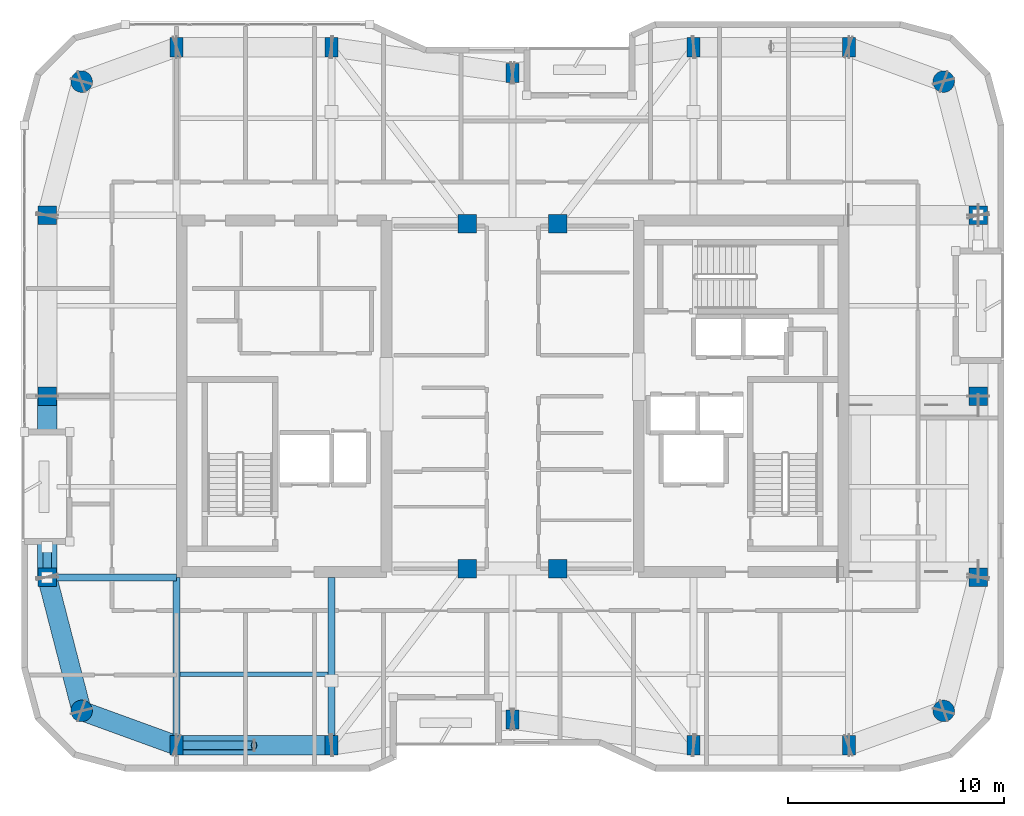
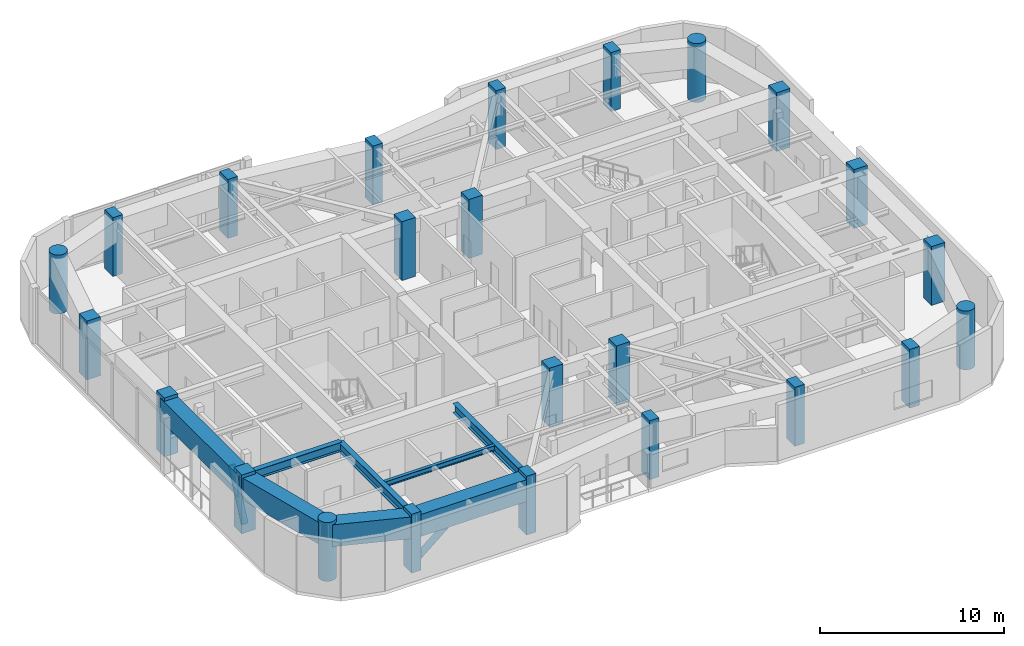
# One storey, part 1 of 16: 24 columns, 8 beams, 2 members.
"""IFC4 building model written with IfcOpenShell, lengths in metres."""

from ifc_helpers import new_model, si_unit, direction, frame, origin, origin_2d, place, context, subcontext, project, spatial, rectangle, hollow_rectangle, circle, hollow_circle, i_section, extrude, material, material_profile, profile_set, type_object, element, save


model = new_model("IFC4")

# Units and contexts
model_context = context("Model", 3, precision=1e-05, world=origin(), true_north=direction((0.0, 1.0)))
body_context = subcontext(model_context, "Body", "Model", "MODEL_VIEW")
ifc_project = project(units=[si_unit("LENGTHUNIT", "METRE"), si_unit("AREAUNIT", "SQUARE_METRE"), si_unit("VOLUMEUNIT", "CUBIC_METRE"), si_unit("PLANEANGLEUNIT", "RADIAN"), si_unit("MASSUNIT", "GRAM", prefix="KILO")], contexts=[model_context])

# Site, building, storey
site_placement = place(None, origin())
site = spatial("IfcSite", under=ifc_project, at=site_placement, CompositionType="ELEMENT")
building_placement = place(site_placement, origin())
building = spatial("IfcBuilding", under=site, at=building_placement, Name="Kiyonajd Concourse Tower", CompositionType="ELEMENT")
storey_placement = place(building_placement, frame((0.0, 0.0, 346.5)))
storey = spatial("IfcBuildingStorey", under=building, at=storey_placement, Name="L87", CompositionType="ELEMENT", Elevation=346.5)

# Columns
ifc_material_1 = material(Name="Concrete C60/75", Category="concrete")
ifc_material_profile_1 = material_profile(ifc_material_1, rectangle(XDim=0.60009765625, YDim=0.89990234375, at=origin_2d()), Name="RC-900x600")
ifc_profile_set_1 = profile_set([ifc_material_profile_1], Name="Concrete C60/75")
column_type_1 = type_object("IfcColumnType", Name="CL-BLADE-900", PredefinedType="COLUMN", material=ifc_profile_set_1)
for number, where, z_axis, x_axis, name in (
    (1, (32.39990234375, 19.800048828125, 0.0), (0.0, 0.0, 1.0), (1.0, 0.0, 0.0), "L87 Perimeter Bundled Tube Column"),
    (2, (32.39990234375, 52.199951171875, 0.0), (0.0, 0.0, 1.0), (1.0, 0.0, 0.0), "L87 Perimeter Bundled Tube Column"),
    (3, (39.60009765625, 19.800048828125, 0.0), (0.0, 0.0, 1.0), (1.0, 0.0, 0.0), "L87 Perimeter Bundled Tube Column"),
    (4, (39.60009765625, 52.199951171875, 0.0), (0.0, 0.0, 1.0), (1.0, 0.0, 0.0), "L87 Perimeter Bundled Tube Column"),
    (5, (48.0, 21.0, 0.0), (0.0, 0.0, 1.0), (1.0, 0.0, 0.0), "L87 Perimeter Bundled Tube Column"),
    (6, (48.0, 51.0, 0.0), (0.0, 0.0, 1.0), (1.0, 0.0, 0.0), "L87 Perimeter Bundled Tube Column"),
    (7, (56.39990234375, 19.800048828125, 0.0), (0.0, 0.0, 1.0), (1.0, 0.0, 0.0), "L87 Perimeter Bundled Tube Column"),
    (8, (56.39990234375, 52.199951171875, 0.0), (0.0, 0.0, 1.0), (1.0, 0.0, 0.0), "L87 Perimeter Bundled Tube Column"),
    (9, (63.60009765625, 19.800048828125, 0.0), (0.0, 0.0, 1.0), (1.0, 0.0, 0.0), "L87 Perimeter Bundled Tube Column"),
    (10, (63.60009765625, 52.199951171875, 0.0), (0.0, 0.0, 1.0), (1.0, 0.0, 0.0), "L87 Perimeter Bundled Tube Column"),
):
    element("IfcColumn", number, at=place(storey_placement, frame(where, z_axis=z_axis, x_axis=x_axis)), inside=storey, type_object=column_type_1, Name=name, PredefinedType="COLUMN", context=body_context, shape_type="SweptSolid", body=[
        extrude(rectangle(XDim=0.60009765625, YDim=0.89990234375, at=origin_2d()), origin(), (0.0, 0.0, 1.0), 3.89990234375),
    ])
ifc_material_profile_2 = material_profile(ifc_material_1, circle(Radius=0.5, at=origin_2d()), Name="RCC-D1000")
ifc_profile_set_2 = profile_set([ifc_material_profile_2], Name="Concrete C60/75")
column_type_2 = type_object("IfcColumnType", Name="CL-RND-1000", PredefinedType="COLUMN", material=ifc_profile_set_2)
for number, where, z_axis, x_axis, name in (
    (11, (28.0, 21.39990234375, 0.0), (0.0, 0.0, 1.0), (1.0, 0.0, 0.0), "L87 Bundled Tube Corner Column South West"),
    (12, (68.0, 21.39990234375, 0.0), (0.0, 0.0, 1.0), (1.0, 0.0, 0.0), "L87 Bundled Tube Corner Column South East"),
    (13, (68.0, 50.60009765625, 0.0), (0.0, 0.0, 1.0), (1.0, 0.0, 0.0), "L87 Bundled Tube Corner Column North East"),
    (14, (28.0, 50.60009765625, 0.0), (0.0, 0.0, 1.0), (1.0, 0.0, 0.0), "L87 Bundled Tube Corner Column North West"),
):
    element("IfcColumn", number, at=place(storey_placement, frame(where, z_axis=z_axis, x_axis=x_axis)), inside=storey, type_object=column_type_2, Name=name, PredefinedType="COLUMN", context=body_context, shape_type="SweptSolid", body=[
        extrude(circle(Radius=0.5, at=origin_2d()), origin(), (0.0, 0.0, 1.0), 3.89990234375),
    ])
ifc_material_profile_3 = material_profile(ifc_material_1, rectangle(XDim=0.85009765625, YDim=0.85009765625, at=origin_2d()), Name="RC-850x850")
ifc_profile_set_3 = profile_set([ifc_material_profile_3], Name="Concrete C60/75")
column_type_3 = type_object("IfcColumnType", Name="CL-TUBE-850", PredefinedType="COLUMN", material=ifc_profile_set_3)
for number, where, z_axis, x_axis, name in (
    (15, (26.39990234375, 27.60009765625, 0.0), (0.0, 0.0, 1.0), (1.0, 0.0, 0.0), "L87 Perimeter Bundled Tube Column"),
    (16, (69.60009765625, 27.60009765625, 0.0), (0.0, 0.0, 1.0), (1.0, 0.0, 0.0), "L87 Perimeter Bundled Tube Column"),
    (17, (26.39990234375, 36.0, 0.0), (0.0, 0.0, 1.0), (1.0, 0.0, 0.0), "L87 Perimeter Bundled Tube Column"),
    (18, (69.60009765625, 36.0, 0.0), (0.0, 0.0, 1.0), (1.0, 0.0, 0.0), "L87 Perimeter Bundled Tube Column"),
    (19, (26.39990234375, 44.39990234375, 0.0), (0.0, 0.0, 1.0), (1.0, 0.0, 0.0), "L87 Perimeter Bundled Tube Column"),
    (20, (69.60009765625, 44.39990234375, 0.0), (0.0, 0.0, 1.0), (1.0, 0.0, 0.0), "L87 Perimeter Bundled Tube Column"),
    (21, (45.89990234375, 28.0, 0.0), (0.0, 0.0, 1.0), (1.0, 0.0, 0.0), "L87 Core Tie Column South West"),
    (22, (50.10009765625, 28.0, 0.0), (0.0, 0.0, 1.0), (1.0, 0.0, 0.0), "L87 Core Tie Column South East"),
    (23, (45.89990234375, 44.0, 0.0), (0.0, 0.0, 1.0), (1.0, 0.0, 0.0), "L87 Core Tie Column North West"),
    (24, (50.10009765625, 44.0, 0.0), (0.0, 0.0, 1.0), (1.0, 0.0, 0.0), "L87 Core Tie Column North East"),
):
    element("IfcColumn", number, at=place(storey_placement, frame(where, z_axis=z_axis, x_axis=x_axis)), inside=storey, type_object=column_type_3, Name=name, PredefinedType="COLUMN", context=body_context, shape_type="SweptSolid", body=[
        extrude(rectangle(XDim=0.85009765625, YDim=0.85009765625, at=origin_2d()), origin(), (0.0, 0.0, 1.0), 3.89990234375),
    ])

# Beams
ifc_material_2 = material(Name="Steel ASTM A992 Grade 50", Category="steel")
ifc_material_profile_4 = material_profile(ifc_material_2, i_section(OverallWidth=0.205078125, OverallDepth=0.35400390625, WebThickness=0.009521484375, FlangeThickness=0.016845703125, at=origin_2d()), Name="W360X79")
ifc_profile_set_4 = profile_set([ifc_material_profile_4], Name="Steel ASTM A992 Grade 50")
beam_type_1 = type_object("IfcBeamType", Name="BM-JST-360", PredefinedType="JOIST", material=ifc_profile_set_4)
beam_1_placement = place(storey_placement, frame((32.56201171875, 23.10009765625, 3.5029296875), z_axis=(1.0, 0.0, 0.0), x_axis=(0.0, 1.0, 0.0)))
element("IfcBeam", 25, at=beam_1_placement, inside=storey, type_object=beam_type_1, Name="L87 Secondary Floor Joist", PredefinedType="JOIST", context=body_context, shape_type="SweptSolid", body=[
    extrude(i_section(OverallWidth=0.205078125, OverallDepth=0.35400390625, WebThickness=0.009521484375, FlangeThickness=0.016845703125, at=origin_2d()), origin(), (0.0, 0.0, 1.0), 6.8759765625),
])
ifc_material_profile_5 = material_profile(ifc_material_2, i_section(OverallWidth=0.323974609375, OverallDepth=0.611083984375, WebThickness=0.0126953125, FlangeThickness=0.01904296875, at=origin_2d()), Name="W610X155")
ifc_profile_set_5 = profile_set([ifc_material_profile_5], Name="Steel ASTM A992 Grade 50")
beam_type_2 = type_object("IfcBeamType", Name="BM-TWR-610B", PredefinedType="BEAM", material=ifc_profile_set_5)
for number, where, z_axis, x_axis, name in (
    (26, (32.39990234375, 19.800048828125, 3.37451171875), (0.0, 1.0, 0.0), (-1.0, 0.0, 0.0), "L87 South Lease Girder"),
    (27, (39.60009765625, 19.800048828125, 3.37451171875), (0.0, 1.0, 0.0), (-1.0, 0.0, 0.0), "L87 South Lease Girder"),
):
    element("IfcBeam", number, at=place(storey_placement, frame(where, z_axis=z_axis, x_axis=x_axis)), inside=storey, type_object=beam_type_2, Name=name, PredefinedType="BEAM", context=body_context, shape_type="SweptSolid", body=[
        extrude(i_section(OverallWidth=0.323974609375, OverallDepth=0.611083984375, WebThickness=0.0126953125, FlangeThickness=0.01904296875, at=origin_2d()), origin(), (0.0, 0.0, 1.0), 7.800048828125),
    ])
beam_2_placement = place(storey_placement, frame((26.39990234375, 27.60009765625, 3.37451171875), z_axis=(1.0, 0.0, 0.0), x_axis=(0.0, 1.0, 0.0)))
element("IfcBeam", 28, at=beam_2_placement, inside=storey, type_object=beam_type_2, Name="L87 West Lease Girder", PredefinedType="BEAM", context=body_context, shape_type="SweptSolid", body=[
    extrude(i_section(OverallWidth=0.323974609375, OverallDepth=0.611083984375, WebThickness=0.0126953125, FlangeThickness=0.01904296875, at=origin_2d()), origin(), (0.0, 0.0, 1.0), 6.0),
])
ifc_material_3 = material(Name="Steel ASTM A572 Grade 50", Category="steel")
ifc_material_profile_6 = material_profile(ifc_material_3, hollow_rectangle(XDim=0.89990234375, YDim=1.449951171875, WallThickness=0.074951171875, at=origin_2d()), Name="BOX-1450x900x75")
ifc_profile_set_6 = profile_set([ifc_material_profile_6], Name="Steel ASTM A572 Grade 50")
beam_type_3 = type_object("IfcBeamType", Name="BM-XFER-1800", PredefinedType="BEAM", material=ifc_profile_set_6)
beam_3_placement = place(storey_placement, frame((26.39990234375, 27.60009765625, 2.955078125), z_axis=(0.249884937687, -0.968275538221, 0.0), x_axis=(0.968275538221, 0.249884937687, 0.0)))
element("IfcBeam", 29, at=beam_3_placement, inside=storey, type_object=beam_type_3, Name="L87 Perimeter Bundled Tube Spandrel", PredefinedType="BEAM", context=body_context, shape_type="SweptSolid", body=[
    extrude(hollow_rectangle(XDim=0.89990234375, YDim=1.449951171875, WallThickness=0.074951171875, at=origin_2d()), origin(), (0.0, 0.0, 1.0), 6.4033203125),
])
beam_4_placement = place(storey_placement, frame((28.0, 21.39990234375, 2.955078125), z_axis=(0.939801036019, -0.341722127901, 0.0), x_axis=(0.341722127901, 0.939801036019, 0.0)))
element("IfcBeam", 30, at=beam_4_placement, inside=storey, type_object=beam_type_3, Name="L87 Perimeter Bundled Tube Spandrel", PredefinedType="BEAM", context=body_context, shape_type="SweptSolid", body=[
    extrude(hollow_rectangle(XDim=0.89990234375, YDim=1.449951171875, WallThickness=0.074951171875, at=origin_2d()), origin(), (0.0, 0.0, 1.0), 4.681640625),
])
beam_5_placement = place(storey_placement, frame((32.39990234375, 19.800048828125, 2.955078125), z_axis=(1.0, 0.0, 0.0), x_axis=(0.0, 1.0, 0.0)))
element("IfcBeam", 31, at=beam_5_placement, inside=storey, type_object=beam_type_3, Name="L87 Perimeter Bundled Tube Spandrel", PredefinedType="BEAM", context=body_context, shape_type="SweptSolid", body=[
    extrude(hollow_rectangle(XDim=0.89990234375, YDim=1.449951171875, WallThickness=0.074951171875, at=origin_2d()), origin(), (0.0, 0.0, 1.0), 7.2001953125),
])
beam_6_placement = place(storey_placement, frame((26.39990234375, 36.0, 2.955078125), z_axis=(0.0, -1.0, 0.0), x_axis=(1.0, 0.0, 0.0)))
element("IfcBeam", 32, at=beam_6_placement, inside=storey, type_object=beam_type_3, Name="L87 Perimeter Bundled Tube Spandrel", PredefinedType="BEAM", context=body_context, shape_type="SweptSolid", body=[
    extrude(hollow_rectangle(XDim=0.89990234375, YDim=1.449951171875, WallThickness=0.074951171875, at=origin_2d()), origin(), (0.0, 0.0, 1.0), 8.39990234375),
])

# Members
ifc_material_4 = material(Name="Steel ASTM A500 Grade C", Category="steel")
ifc_material_profile_7 = material_profile(ifc_material_4, hollow_circle(Radius=0.202880859375, WallThickness=0.01904296875, at=origin_2d()), Name="CHS-406x19")
ifc_profile_set_7 = profile_set([ifc_material_profile_7], Name="Steel ASTM A500 Grade C")
member_type = type_object("IfcMemberType", Name="MB-PB-HIGH", PredefinedType="BRACE", material=ifc_profile_set_7)
member_1_placement = place(storey_placement, frame((32.39990234375, 19.800048828125, 0.300048828125), z_axis=(0.765082043761, 0.0, 0.643932811957), x_axis=(0.0, 1.0, 0.0)))
element("IfcMember", 33, at=member_1_placement, inside=storey, type_object=member_type, Name="L87 Upper Zone Hollow Tube Brace PBS", PredefinedType="BRACE", context=body_context, shape_type="SweptSolid", body=[
    extrude(hollow_circle(Radius=0.202880859375, WallThickness=0.01904296875, at=origin_2d()), origin(), (0.0, 0.0, 1.0), 4.70556640625),
])
member_2_placement = place(storey_placement, frame((26.39990234375, 27.60009765625, 0.300048828125), z_axis=(0.0, 0.419410666774, 0.907796614114), x_axis=(-1.0, 0.0, 0.0)))
element("IfcMember", 34, at=member_2_placement, inside=storey, type_object=member_type, Name="L87 Upper Zone Hollow Tube Brace PBW", PredefinedType="BRACE", context=body_context, shape_type="SweptSolid", body=[
    extrude(hollow_circle(Radius=0.202880859375, WallThickness=0.01904296875, at=origin_2d()), origin(), (0.0, 0.0, 1.0), 3.337890625),
])

save(model, "model.ifc")
